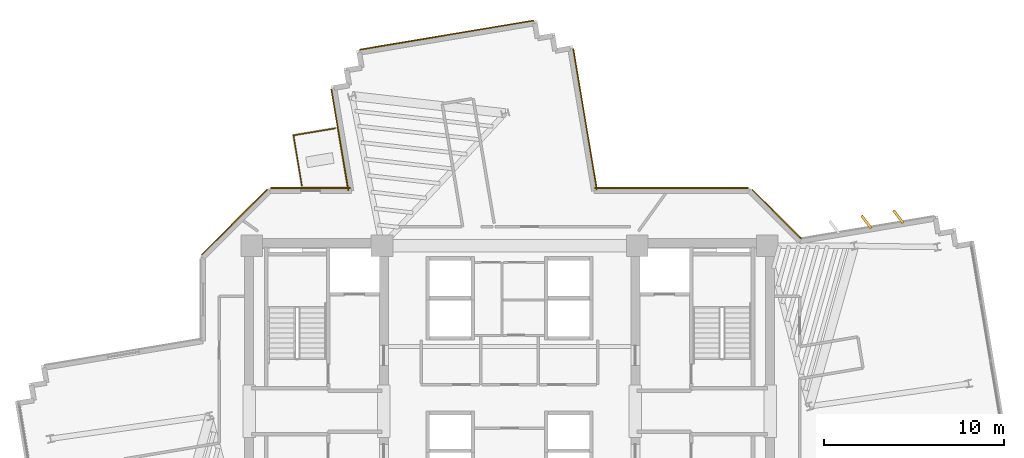
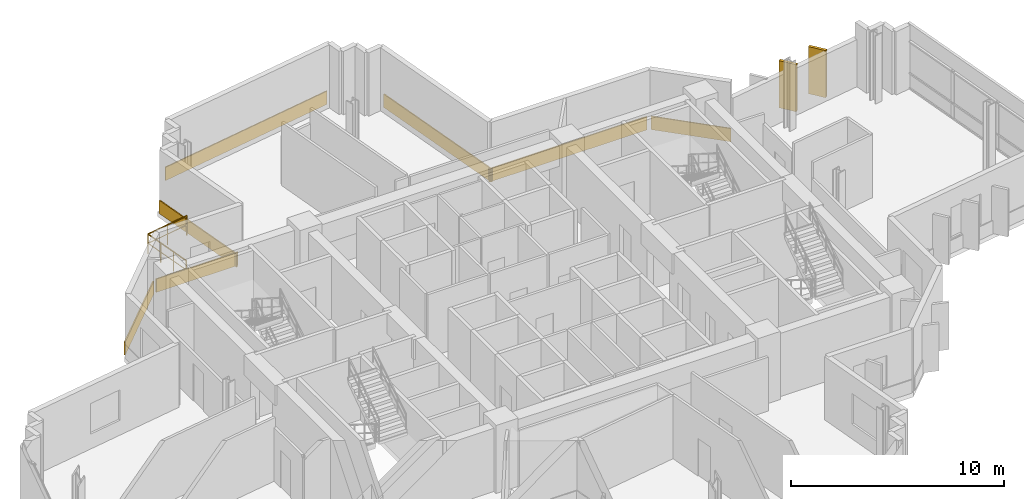
# One storey, part 15 of 15: 9 coverings, 2 railings.
"""IFC4 building model written with IfcOpenShell, lengths in metres."""

from ifc_helpers import new_model, si_unit, direction, frame, origin, origin_2d, place, context, subcontext, project, spatial, rectangle, extrude, source, transform, mapped, material, layer, layer_set, type_object, element, save


model = new_model("IFC4")

# Units and contexts
model_context = context("Model", 3, precision=1e-05, world=origin(), true_north=direction((0.0, 1.0)))
body_context = subcontext(model_context, "Body", "Model", "MODEL_VIEW")
ifc_project = project(units=[si_unit("LENGTHUNIT", "METRE"), si_unit("AREAUNIT", "SQUARE_METRE"), si_unit("VOLUMEUNIT", "CUBIC_METRE"), si_unit("PLANEANGLEUNIT", "RADIAN"), si_unit("MASSUNIT", "GRAM", prefix="KILO")], contexts=[model_context])

# Site, building, storey
site_placement = place(None, origin())
site = spatial("IfcSite", under=ifc_project, at=site_placement, CompositionType="ELEMENT")
building_placement = place(site_placement, origin())
building = spatial("IfcBuilding", under=site, at=building_placement, Name="Zahravan Cultural Tower", CompositionType="ELEMENT")
storey_placement = place(building_placement, frame((0.0, 0.0, 135.60009765625)))
storey = spatial("IfcBuildingStorey", under=building, at=storey_placement, Name="L30", CompositionType="ELEMENT", Elevation=135.60009765625)

# Railings
ifc_material_1 = material(Name="Steel ASTM A572 Grade 50", Category="steel")
railing_type = type_object("IfcRailingType", Name="RL-BAL-1150", PredefinedType="BALUSTRADE", material=ifc_material_1)
railing_1_placement = place(storey_placement, frame((23.970703125, 42.355224609375, 0.0)))
element("IfcRailing", 1, at=railing_1_placement, inside=storey, type_object=railing_type, Name="L30 Edge Balustrade GRD-TR-L30-NW-01", PredefinedType="BALUSTRADE", context=body_context, shape_type="SweptSolid", body=[
    extrude(rectangle(XDim=0.05, YDim=0.05, at=origin_2d()), frame((0.0, 0.0, 1.125), z_axis=(0.986278554685, 0.16508971067, 0.0), x_axis=(-0.16508971067, 0.986278554685, 0.0)), (0.0, 0.0, 1.0), 2.349853515625),
    extrude(rectangle(XDim=0.032, YDim=0.032, at=origin_2d()), frame((0.0, 0.0, 0.597900390625), z_axis=(0.986278554685, 0.16508971067, 0.0), x_axis=(-0.16508971067, 0.986278554685, 0.0)), (0.0, 0.0, 1.0), 2.349853515625),
    extrude(rectangle(XDim=0.04, YDim=0.04, at=origin_2d()), origin(), (0.0, 0.0, 1.0), 1.14990234375),
    extrude(rectangle(XDim=0.04, YDim=0.04, at=origin_2d()), frame((1.15869140625, 0.19384765625, 0.0)), (0.0, 0.0, 1.0), 1.14990234375),
    extrude(rectangle(XDim=0.04, YDim=0.04, at=origin_2d()), frame((2.317626953125, 0.387939453125, 0.0)), (0.0, 0.0, 1.0), 1.14990234375),
])
railing_2_placement = place(storey_placement, frame((24.43505859375, 39.580078125, 0.0)))
element("IfcRailing", 2, at=railing_2_placement, inside=storey, type_object=railing_type, Name="L30 Edge Balustrade GRD-TR-L30-NW-02", PredefinedType="BALUSTRADE", context=body_context, shape_type="SweptSolid", body=[
    extrude(rectangle(XDim=0.05, YDim=0.05, at=origin_2d()), frame((0.0, 0.0, 1.125), z_axis=(-0.165032122976, 0.986288192359, 0.0), x_axis=(-0.986288192359, -0.165032122976, 0.0)), (0.0, 0.0, 1.0), 2.813720703125),
    extrude(rectangle(XDim=0.032, YDim=0.032, at=origin_2d()), frame((0.0, 0.0, 0.597900390625), z_axis=(-0.165032122976, 0.986288192359, 0.0), x_axis=(-0.986288192359, -0.165032122976, 0.0)), (0.0, 0.0, 1.0), 2.813720703125),
    extrude(rectangle(XDim=0.04, YDim=0.04, at=origin_2d()), origin(), (0.0, 0.0, 1.0), 1.14990234375),
    extrude(rectangle(XDim=0.04, YDim=0.04, at=origin_2d()), frame((-0.15478515625, 0.925048828125, 0.0)), (0.0, 0.0, 1.0), 1.14990234375),
    extrude(rectangle(XDim=0.04, YDim=0.04, at=origin_2d()), frame((-0.3095703125, 1.85009765625, 0.0)), (0.0, 0.0, 1.0), 1.14990234375),
    extrude(rectangle(XDim=0.04, YDim=0.04, at=origin_2d()), frame((-0.46435546875, 2.775146484375, 0.0)), (0.0, 0.0, 1.0), 1.14990234375),
])

# Coverings
ifc_material_2 = material(Name="Terracotta ceramic cladding", Category="masonry")
ifc_layer = layer(ifc_material_2, 0.06005859375)
ifc_layer_set = layer_set([ifc_layer], Name="Terracotta ceramic cladding")
covering_type = type_object("IfcCoveringType", Name="COV-CLAD-TC60", PredefinedType="CLADDING", material=ifc_layer_set)
shared_shape_1 = source(origin(), body_context, "Body", "SweptSolid", [
    extrude(rectangle(XDim=9.820068359375, YDim=0.06005859375, at=origin_2d()), origin(), (0.0, 0.0, 1.0), 0.760009765625),
])
covering_1_placement = place(storey_placement, frame((32.496826171875, 47.933837890625, 0.02001953125), z_axis=(0.0, 0.0, 1.0), x_axis=(0.986285601537, 0.165047605861, 0.0)))
element("IfcCovering", 3, at=covering_1_placement, inside=storey, type_object=covering_type, Name="L30 Terracotta Spandrel Cladding 45", PredefinedType="CLADDING", context=body_context, shape_type="MappedRepresentation", body=[
    mapped(shared_shape_1, transform((0.0, 0.0, 0.0), x_axis=(1.0, 0.0, 0.0), y_axis=(0.0, 1.0, 0.0), z_axis=(0.0, 0.0, 1.0), scale=1.0)),
])
shared_shape_2 = source(origin(), body_context, "Body", "SweptSolid", [
    extrude(rectangle(XDim=5.157958984375, YDim=0.06005859375, at=origin_2d()), origin(), (0.0, 0.0, 1.0), 0.760009765625),
])
covering_2_placement = place(storey_placement, frame((20.682373046875, 37.517578125, 0.02001953125), z_axis=(0.0, 0.0, 1.0), x_axis=(0.707106781187, 0.707106781187, 0.0)))
element("IfcCovering", 4, at=covering_2_placement, inside=storey, type_object=covering_type, Name="L30 Terracotta Spandrel Cladding 38", PredefinedType="CLADDING", context=body_context, shape_type="MappedRepresentation", body=[
    mapped(shared_shape_2, transform((0.0, 0.0, 0.0), x_axis=(1.0, 0.0, 0.0), y_axis=(0.0, 1.0, 0.0), z_axis=(0.0, 0.0, 1.0), scale=1.0)),
])
shared_shape_3 = source(origin(), body_context, "Body", "SweptSolid", [
    extrude(rectangle(XDim=0.8798828125, YDim=0.139892578125, at=origin_2d()), origin(), (0.0, 0.0, 1.0), 2.699951171875),
])
for number, where, z_axis, x_axis, name in (
    (5, (55.857177734375, 37.53173828125, 0.0498046875), (0.0, 0.0, 1.0), (-0.608761429009, 0.793353340291, 0.0), "L30 Herringbone Terracotta Fin 02"),
    (6, (57.632568359375, 37.828857421875, 0.0498046875), (0.0, 0.0, 1.0), (-0.608761429009, 0.793353340291, 0.0), "L30 Herringbone Terracotta Fin 03"),
):
    element("IfcCovering", number, at=place(storey_placement, frame(where, z_axis=z_axis, x_axis=x_axis)), inside=storey, type_object=covering_type, Name=name, PredefinedType="CLADDING", context=body_context, shape_type="MappedRepresentation", body=[
        mapped(shared_shape_3, transform((0.0, 0.0, 0.0), x_axis=(1.0, 0.0, 0.0), y_axis=(0.0, 1.0, 0.0), z_axis=(0.0, 0.0, 1.0), scale=1.0)),
    ])
shared_shape_4 = source(origin(), body_context, "Body", "SweptSolid", [
    extrude(rectangle(XDim=4.437744140625, YDim=0.06005859375, at=origin_2d()), origin(), (0.0, 0.0, 1.0), 0.760009765625),
])
covering_3_placement = place(storey_placement, frame((24.927001953125, 39.425048828125, 0.02001953125), z_axis=(0.0, 0.0, 1.0), x_axis=(1.0, 0.0, 0.0)))
element("IfcCovering", 7, at=covering_3_placement, inside=storey, type_object=covering_type, Name="L30 Terracotta Spandrel Cladding 39", PredefinedType="CLADDING", context=body_context, shape_type="MappedRepresentation", body=[
    mapped(shared_shape_4, transform((0.0, 0.0, 0.0), x_axis=(1.0, 0.0, 0.0), y_axis=(0.0, 1.0, 0.0), z_axis=(0.0, 0.0, 1.0), scale=1.0)),
])
shared_shape_5 = source(origin(), body_context, "Body", "SweptSolid", [
    extrude(rectangle(XDim=5.715087890625, YDim=0.06005859375, at=origin_2d()), origin(), (0.0, 0.0, 1.0), 0.760009765625),
])
covering_4_placement = place(storey_placement, frame((26.55322265625, 42.100341796875, 0.02001953125), z_axis=(0.0, 0.0, 1.0), x_axis=(-0.165064819767, 0.986282720763, 0.0)))
element("IfcCovering", 8, at=covering_4_placement, inside=storey, type_object=covering_type, Name="L30 Terracotta Spandrel Cladding 40", PredefinedType="CLADDING", context=body_context, shape_type="MappedRepresentation", body=[
    mapped(shared_shape_5, transform((0.0, 0.0, 0.0), x_axis=(1.0, 0.0, 0.0), y_axis=(0.0, 1.0, 0.0), z_axis=(0.0, 0.0, 1.0), scale=1.0)),
])
shared_shape_6 = source(origin(), body_context, "Body", "SweptSolid", [
    extrude(rectangle(XDim=7.944091796875, YDim=0.06005859375, at=origin_2d()), origin(), (0.0, 0.0, 1.0), 0.760009765625),
])
covering_5_placement = place(storey_placement, frame((40.199951171875, 43.254150390625, 0.02001953125), z_axis=(0.0, 0.0, 1.0), x_axis=(0.165047605861, -0.986285601537, 0.0)))
element("IfcCovering", 9, at=covering_5_placement, inside=storey, type_object=covering_type, Name="L30 Terracotta Spandrel Cladding 50", PredefinedType="CLADDING", context=body_context, shape_type="MappedRepresentation", body=[
    mapped(shared_shape_6, transform((0.0, 0.0, 0.0), x_axis=(1.0, 0.0, 0.0), y_axis=(0.0, 1.0, 0.0), z_axis=(0.0, 0.0, 1.0), scale=1.0)),
])
shared_shape_7 = source(origin(), body_context, "Body", "SweptSolid", [
    extrude(rectangle(XDim=8.541015625, YDim=0.06005859375, at=origin_2d()), origin(), (0.0, 0.0, 1.0), 0.760009765625),
])
covering_6_placement = place(storey_placement, frame((45.021484375, 39.425048828125, 0.02001953125), z_axis=(0.0, 0.0, 1.0), x_axis=(1.0, 0.0, 0.0)))
element("IfcCovering", 10, at=covering_6_placement, inside=storey, type_object=covering_type, Name="L30 Terracotta Spandrel Cladding 51", PredefinedType="CLADDING", context=body_context, shape_type="MappedRepresentation", body=[
    mapped(shared_shape_7, transform((0.0, 0.0, 0.0), x_axis=(1.0, 0.0, 0.0), y_axis=(0.0, 1.0, 0.0), z_axis=(0.0, 0.0, 1.0), scale=1.0)),
])
shared_shape_8 = source(origin(), body_context, "Body", "SweptSolid", [
    extrude(rectangle(XDim=3.8671875, YDim=0.06005859375, at=origin_2d()), origin(), (0.0, 0.0, 1.0), 0.760009765625),
])
covering_7_placement = place(storey_placement, frame((50.861328125, 37.97412109375, 0.02001953125), z_axis=(0.0, 0.0, 1.0), x_axis=(0.707106781187, -0.707106781187, 0.0)))
element("IfcCovering", 11, at=covering_7_placement, inside=storey, type_object=covering_type, Name="L30 Terracotta Spandrel Cladding 52", PredefinedType="CLADDING", context=body_context, shape_type="MappedRepresentation", body=[
    mapped(shared_shape_8, transform((0.0, 0.0, 0.0), x_axis=(1.0, 0.0, 0.0), y_axis=(0.0, 1.0, 0.0), z_axis=(0.0, 0.0, 1.0), scale=1.0)),
])

save(model, "model.ifc")
